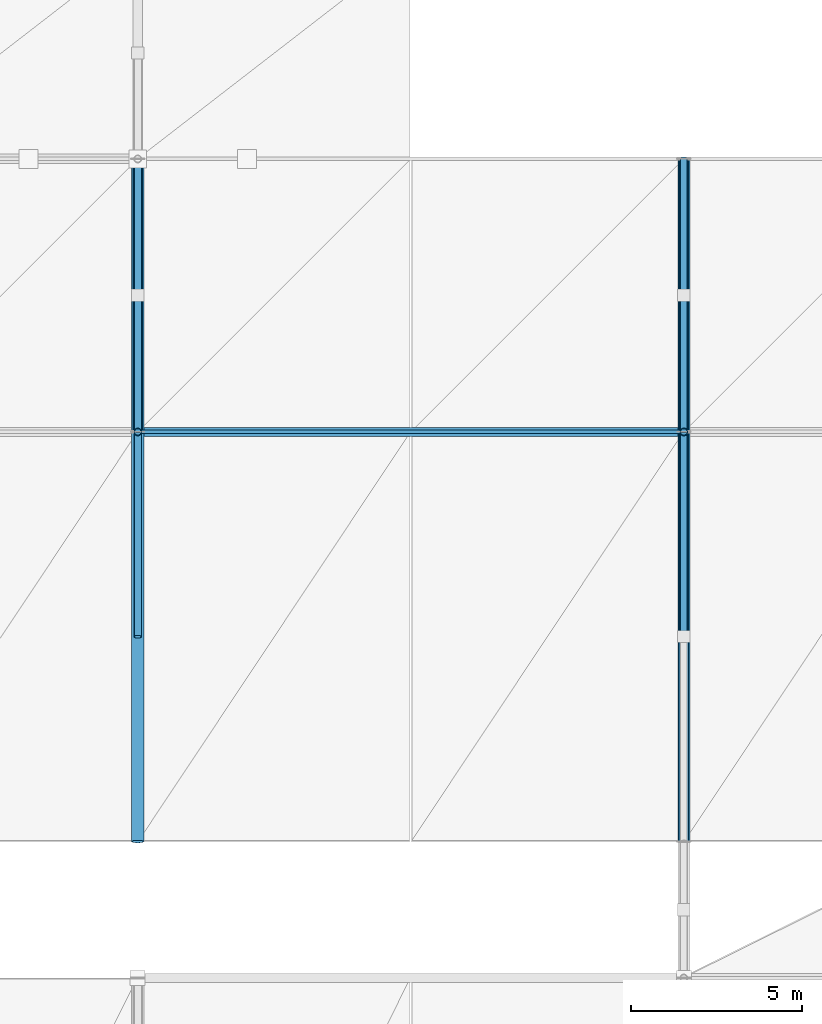
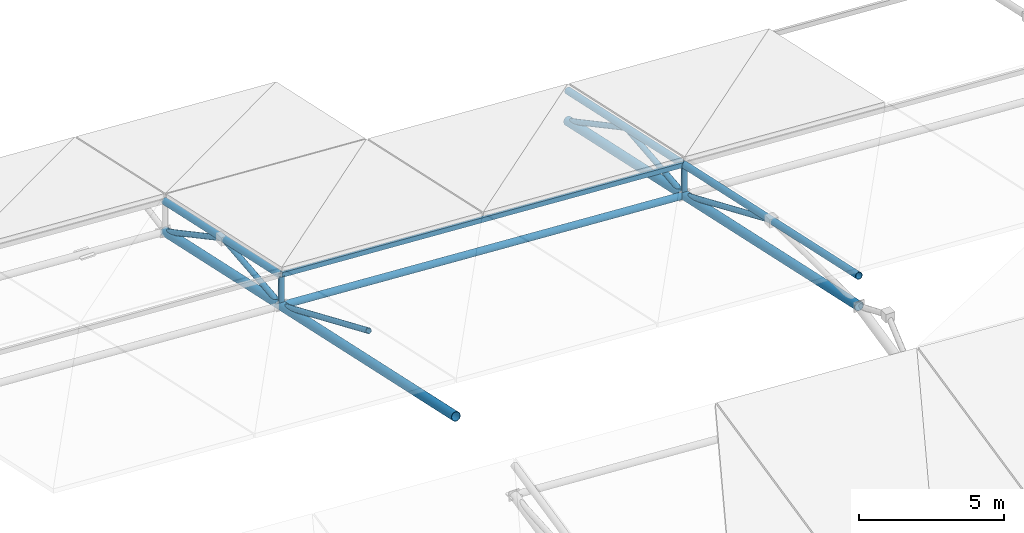
# One storey, part 30 of 67: 12 members, 5 beams.
"""IFC4 building model written with IfcOpenShell, lengths in metres."""

from ifc_helpers import new_model, si_unit, direction, frame, origin, origin_2d, place, context, subcontext, project, spatial, hollow_rectangle, hollow_circle, extrude, material, material_profile, profile_set, type_object, element, save


model = new_model("IFC4")

# Units and contexts
model_context = context("Model", 3, precision=1e-05, world=origin(), true_north=direction((0.0, 1.0)))
body_context = subcontext(model_context, "Body", "Model", "MODEL_VIEW")
ifc_project = project(units=[si_unit("LENGTHUNIT", "METRE"), si_unit("AREAUNIT", "SQUARE_METRE"), si_unit("VOLUMEUNIT", "CUBIC_METRE"), si_unit("PLANEANGLEUNIT", "RADIAN"), si_unit("MASSUNIT", "GRAM", prefix="KILO")], contexts=[model_context])

# Site, building, storey
site_placement = place(None, origin())
site = spatial("IfcSite", under=ifc_project, at=site_placement, CompositionType="ELEMENT")
building_placement = place(site_placement, origin())
building = spatial("IfcBuilding", under=site, at=building_placement, Name="Drelvath Fold Interchange", CompositionType="ELEMENT")
storey_placement = place(building_placement, frame((0.0, 0.0, 15.60009765625)))
storey = spatial("IfcBuildingStorey", under=building, at=storey_placement, Name="L03", CompositionType="ELEMENT", Elevation=15.60009765625)

# Members
ifc_material = material(Name="Steel ASTM A500 Grade C", Category="steel")
ifc_material_profile_1 = material_profile(ifc_material, hollow_rectangle(XDim=0.10205078125, YDim=0.202880859375, WallThickness=0.00732421875, at=origin_2d()), Name="HSS8X4X5/16")
ifc_profile_set_1 = profile_set([ifc_material_profile_1], Name="Steel ASTM A500 Grade C")
member_type_1 = type_object("IfcMemberType", Name="PR-HSS203", PredefinedType="PURLIN", material=ifc_profile_set_1)
member_1_placement = place(storey_placement, frame((134.0, 59.0, 3.220947265625), z_axis=(0.998193134406, 0.0, -0.06008715691), x_axis=(0.0, 1.0, 0.0)))
element("IfcMember", 1, at=member_1_placement, inside=storey, type_object=member_type_1, Name="L03 Space frame canopy purlin PR-HSS203", PredefinedType="PURLIN", context=body_context, shape_type="SweptSolid", body=[
    extrude(hollow_rectangle(XDim=0.10205078125, YDim=0.202880859375, WallThickness=0.00732421875, at=origin_2d()), origin(), (0.0, 0.0, 1.0), 16.029052734375),
])
ifc_material_profile_2 = material_profile(ifc_material, hollow_circle(Radius=0.136474609375, WallThickness=0.01171875, at=origin_2d()), Name="HSS10.750X0.500")
ifc_profile_set_2 = profile_set([ifc_material_profile_2], Name="Steel ASTM A500 Grade C")
member_type_2 = type_object("IfcMemberType", Name="SF-CHD273", PredefinedType="CHORD", material=ifc_profile_set_2)
member_2_placement = place(storey_placement, frame((134.0, 59.0, 3.18896484375), z_axis=(0.0, 0.97704917023, -0.213013893803), x_axis=(-1.0, 0.0, 0.0)))
element("IfcMember", 2, at=member_2_placement, inside=storey, type_object=member_type_2, Name="L03 Space frame roof truss upper chord SF-CHD273", PredefinedType="CHORD", context=body_context, shape_type="SweptSolid", body=[
    extrude(hollow_circle(Radius=0.136474609375, WallThickness=0.01171875, at=origin_2d()), origin(), (0.0, 0.0, 1.0), 8.18798828125),
])
member_3_placement = place(storey_placement, frame((150.0, 47.0, 4.841796875), z_axis=(0.0, 0.977053307197, -0.212994917534), x_axis=(-1.0, 0.0, 0.0)))
element("IfcMember", 3, at=member_3_placement, inside=storey, type_object=member_type_2, Name="L03 Space frame roof truss upper chord SF-CHD273", PredefinedType="CHORD", context=body_context, shape_type="SweptSolid", body=[
    extrude(hollow_circle(Radius=0.136474609375, WallThickness=0.01171875, at=origin_2d()), origin(), (0.0, 0.0, 1.0), 12.28173828125),
])
member_4_placement = place(storey_placement, frame((150.0, 59.0, 2.225830078125), z_axis=(0.0, 0.977055375556, -0.212985429309), x_axis=(-1.0, 0.0, 0.0)))
element("IfcMember", 4, at=member_4_placement, inside=storey, type_object=member_type_2, Name="L03 Space frame roof truss upper chord SF-CHD273", PredefinedType="CHORD", context=body_context, shape_type="SweptSolid", body=[
    extrude(hollow_circle(Radius=0.136474609375, WallThickness=0.01171875, at=origin_2d()), origin(), (0.0, 0.0, 1.0), 8.18798828125),
])

# Beams
ifc_material_profile_3 = material_profile(ifc_material, hollow_circle(Radius=0.177978515625, WallThickness=0.01171875, at=origin_2d()), Name="HSS14.000X0.500")
ifc_profile_set_3 = profile_set([ifc_material_profile_3], Name="Steel ASTM A500 Grade C")
beam_type_1 = type_object("IfcBeamType", Name="SF-RIB356", PredefinedType="BEAM", material=ifc_profile_set_3)
beam_1_placement = place(storey_placement, frame((134.0, 47.0, 4.534912109375), z_axis=(0.0, 0.977053307197, -0.212994917534), x_axis=(-1.0, 0.0, 0.0)))
element("IfcBeam", 5, at=beam_1_placement, inside=storey, type_object=beam_type_1, Name="Space frame roof truss main rib chord EAST", PredefinedType="BEAM", context=body_context, shape_type="SweptSolid", body=[
    extrude(hollow_circle(Radius=0.177978515625, WallThickness=0.01171875, at=origin_2d()), origin(), (0.0, 0.0, 1.0), 12.28173828125),
])
beam_2_placement = place(storey_placement, frame((134.0, 59.0, 1.9189453125), z_axis=(0.0, 0.97704917023, -0.213013893803), x_axis=(-1.0, 0.0, 0.0)))
element("IfcBeam", 6, at=beam_2_placement, inside=storey, type_object=beam_type_1, Name="Space frame roof truss main rib chord EAST", PredefinedType="BEAM", context=body_context, shape_type="SweptSolid", body=[
    extrude(hollow_circle(Radius=0.177978515625, WallThickness=0.01171875, at=origin_2d()), origin(), (0.0, 0.0, 1.0), 8.18798828125),
])
beam_3_placement = place(storey_placement, frame((150.0, 47.0, 3.572021484375), z_axis=(0.0, 0.97704917023, -0.213013893803), x_axis=(-1.0, 0.0, 0.0)))
element("IfcBeam", 7, at=beam_3_placement, inside=storey, type_object=beam_type_1, Name="Space frame roof truss main rib chord EAST", PredefinedType="BEAM", context=body_context, shape_type="SweptSolid", body=[
    extrude(hollow_circle(Radius=0.177978515625, WallThickness=0.01171875, at=origin_2d()), origin(), (0.0, 0.0, 1.0), 12.281982421875),
])
beam_4_placement = place(storey_placement, frame((150.0, 59.0, 0.955810546875), z_axis=(0.0, 0.977055375556, -0.212985429309), x_axis=(-1.0, 0.0, 0.0)))
element("IfcBeam", 8, at=beam_4_placement, inside=storey, type_object=beam_type_1, Name="Space frame roof truss main rib chord EAST", PredefinedType="BEAM", context=body_context, shape_type="SweptSolid", body=[
    extrude(hollow_circle(Radius=0.177978515625, WallThickness=0.01171875, at=origin_2d()), origin(), (0.0, 0.0, 1.0), 8.18798828125),
])
ifc_material_profile_4 = material_profile(ifc_material, hollow_circle(Radius=0.136474609375, WallThickness=0.01171875, at=origin_2d()), Name="HSS10.750X0.500")
ifc_profile_set_4 = profile_set([ifc_material_profile_4], Name="Steel ASTM A500 Grade C")
beam_type_2 = type_object("IfcBeamType", Name="SF-TIE273", PredefinedType="BEAM", material=ifc_profile_set_4)
beam_5_placement = place(storey_placement, frame((134.050048828125, 59.0, 1.9189453125), z_axis=(0.998170375185, 0.0, -0.060464056292), x_axis=(0.0, 1.0, 0.0)))
element("IfcBeam", 9, at=beam_5_placement, inside=storey, type_object=beam_type_2, Name="Space frame roof truss longitudinal tie EAST", PredefinedType="BEAM", context=body_context, shape_type="SweptSolid", body=[
    extrude(hollow_circle(Radius=0.136474609375, WallThickness=0.01171875, at=origin_2d()), origin(), (0.0, 0.0, 1.0), 15.928955078125),
])

# Members
ifc_material_profile_5 = material_profile(ifc_material, hollow_circle(Radius=0.109619140625, WallThickness=0.0087890625, at=origin_2d()), Name="HSS8.625X0.375")
ifc_profile_set_5 = profile_set([ifc_material_profile_5], Name="Steel ASTM A500 Grade C")
member_type_3 = type_object("IfcMemberType", Name="SF-WEB219", PredefinedType="BRACE", material=ifc_profile_set_5)
member_5_placement = place(storey_placement, frame((134.0, 53.0, 4.496826171875), z_axis=(0.0, 0.918786910089, -0.394753864894), x_axis=(-1.0, 0.0, 0.0)))
element("IfcMember", 10, at=member_5_placement, inside=storey, type_object=member_type_3, Name="L03 Space frame roof truss web brace SF-WEB219", PredefinedType="BRACE", context=body_context, shape_type="SweptSolid", body=[
    extrude(hollow_circle(Radius=0.109619140625, WallThickness=0.0087890625, at=origin_2d()), origin(), (0.0, 0.0, 1.0), 6.5302734375),
])
member_6_placement = place(storey_placement, frame((134.0, 59.0, 1.9189453125), z_axis=(0.0, 0.995087574546, 0.09899858072), x_axis=(-1.0, 0.0, 0.0)))
element("IfcMember", 11, at=member_6_placement, inside=storey, type_object=member_type_3, Name="L03 Space frame roof truss web brace SF-WEB219", PredefinedType="BRACE", context=body_context, shape_type="SweptSolid", body=[
    extrude(hollow_circle(Radius=0.109619140625, WallThickness=0.0087890625, at=origin_2d()), origin(), (0.0, 0.0, 1.0), 4.019775390625),
])
member_7_placement = place(storey_placement, frame((134.0, 63.0, 2.31689453125), z_axis=(0.0, 0.881550350071, -0.47209001291), x_axis=(-1.0, 0.0, 0.0)))
element("IfcMember", 12, at=member_7_placement, inside=storey, type_object=member_type_3, Name="L03 Space frame roof truss web brace SF-WEB219", PredefinedType="BRACE", context=body_context, shape_type="SweptSolid", body=[
    extrude(hollow_circle(Radius=0.109619140625, WallThickness=0.0087890625, at=origin_2d()), origin(), (0.0, 0.0, 1.0), 4.537353515625),
])
member_8_placement = place(storey_placement, frame((134.0, 59.0, 1.9189453125), z_axis=(0.0, 0.0, 1.0), x_axis=(1.0, 0.0, 0.0)))
element("IfcMember", 13, at=member_8_placement, inside=storey, type_object=member_type_3, Name="L03 Space frame roof truss web brace SF-WEB219", PredefinedType="BRACE", context=body_context, shape_type="SweptSolid", body=[
    extrude(hollow_circle(Radius=0.109619140625, WallThickness=0.0087890625, at=origin_2d()), origin(), (0.0, 0.0, 1.0), 1.27001953125),
])
member_9_placement = place(storey_placement, frame((150.0, 53.0, 3.533935546875), z_axis=(0.0, 0.918773350213, -0.394785423919), x_axis=(-1.0, 0.0, 0.0)))
element("IfcMember", 14, at=member_9_placement, inside=storey, type_object=member_type_3, Name="L03 Space frame roof truss web brace SF-WEB219", PredefinedType="BRACE", context=body_context, shape_type="SweptSolid", body=[
    extrude(hollow_circle(Radius=0.109619140625, WallThickness=0.0087890625, at=origin_2d()), origin(), (0.0, 0.0, 1.0), 6.530517578125),
])
member_10_placement = place(storey_placement, frame((150.0, 59.0, 0.955810546875), z_axis=(0.0, 0.99508158959, 0.099058720253), x_axis=(-1.0, 0.0, 0.0)))
element("IfcMember", 15, at=member_10_placement, inside=storey, type_object=member_type_3, Name="L03 Space frame roof truss web brace SF-WEB219", PredefinedType="BRACE", context=body_context, shape_type="SweptSolid", body=[
    extrude(hollow_circle(Radius=0.109619140625, WallThickness=0.0087890625, at=origin_2d()), origin(), (0.0, 0.0, 1.0), 4.019775390625),
])
member_11_placement = place(storey_placement, frame((150.0, 63.0, 1.35400390625), z_axis=(0.0, 0.881550350071, -0.47209001291), x_axis=(-1.0, 0.0, 0.0)))
element("IfcMember", 16, at=member_11_placement, inside=storey, type_object=member_type_3, Name="L03 Space frame roof truss web brace SF-WEB219", PredefinedType="BRACE", context=body_context, shape_type="SweptSolid", body=[
    extrude(hollow_circle(Radius=0.109619140625, WallThickness=0.0087890625, at=origin_2d()), origin(), (0.0, 0.0, 1.0), 4.537353515625),
])
member_12_placement = place(storey_placement, frame((150.0, 59.0, 0.955810546875), z_axis=(0.0, 0.0, 1.0), x_axis=(1.0, 0.0, 0.0)))
element("IfcMember", 17, at=member_12_placement, inside=storey, type_object=member_type_3, Name="L03 Space frame roof truss web brace SF-WEB219", PredefinedType="BRACE", context=body_context, shape_type="SweptSolid", body=[
    extrude(hollow_circle(Radius=0.109619140625, WallThickness=0.0087890625, at=origin_2d()), origin(), (0.0, 0.0, 1.0), 1.27001953125),
])

save(model, "model.ifc")
